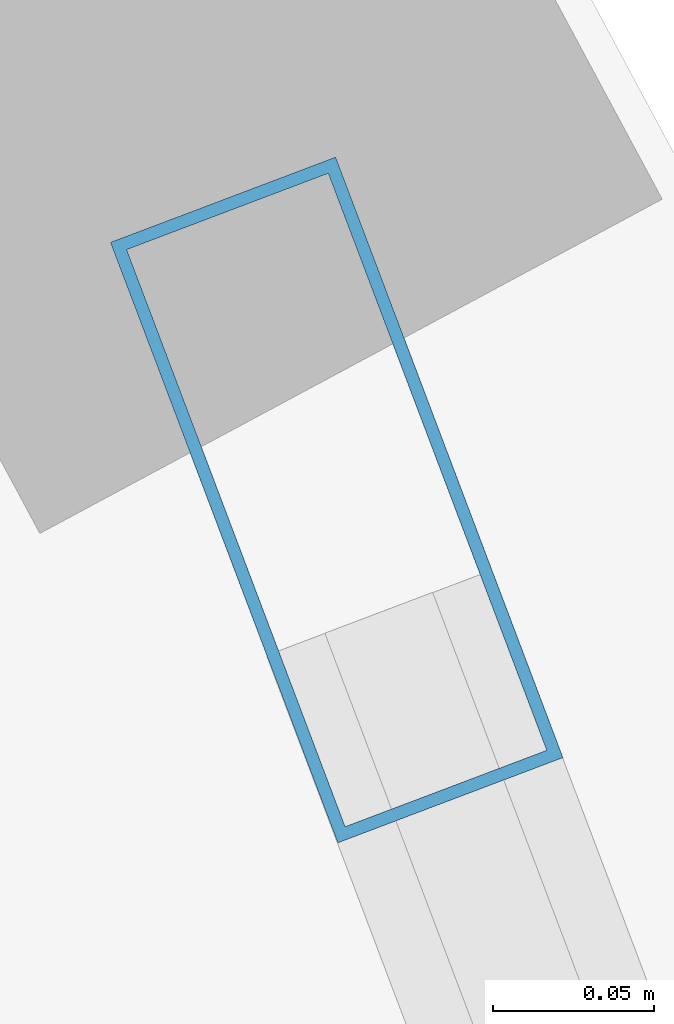
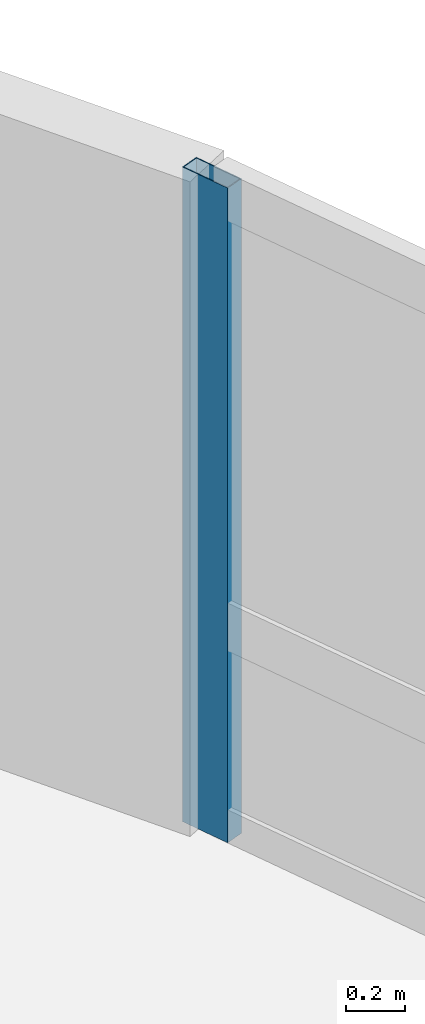
# One storey, part 10 of 20: 1 member, 1 element without a shape of its own.
"""IFC4 building model written with IfcOpenShell, lengths in metres."""

import ifcopenshell
import ifcopenshell.guid

model = None  # the IFC model being written
_history = None  # IfcOwnerHistory: only IFC2X3 demands one
_inside = {}  # id of a spatial element -> (the spatial element, [elements in it])
_under = {}  # id of a project, library or spatial element -> (it, [spatial elements below it])
_declared = {}  # id of a project -> (the project, [libraries it declares])
_typed = {}  # id of a type object -> (the type object, [elements of that type])
_made_of = {}  # id of a material, layer set ... -> (it, [elements and type objects made of it])


def new_model(schema):
    """Start an empty IFC model of exactly this schema.

    Asked for "IFC4X3", IfcOpenShell would pick the latest addendum, in which some entities
    have other attributes; the version numbers below select the first issue.
    IFC2X3 requires an IfcOwnerHistory on every rooted entity: one is made here for all.
    """
    global model, _history
    if schema == "IFC4X3":
        model = ifcopenshell.file(schema_version=(4, 3, 0, 0))
    else:
        model = ifcopenshell.file(schema=schema)
    _inside.clear()
    _under.clear()
    _declared.clear()
    _typed.clear()
    _made_of.clear()
    _history = None
    if model.schema == "IFC2X3":
        org = make("IfcOrganization", Name="unknown")
        user = make(
            "IfcPersonAndOrganization",
            ThePerson=make("IfcPerson", FamilyName="unknown"),
            TheOrganization=org,
        )
        app = make(
            "IfcApplication",
            ApplicationDeveloper=org,
            Version="unknown",
            ApplicationFullName="unknown",
            ApplicationIdentifier="unknown",
        )
        _history = make(
            "IfcOwnerHistory",
            OwningUser=user,
            OwningApplication=app,
            ChangeAction="ADDED",
            CreationDate=0,
        )
    return model


def make(cls, **values):
    """One entity of the class cls with the attributes given. An attribute that is None is left unset."""
    return model.create_entity(
        cls, **{name: value for name, value in values.items() if value is not None}
    )


def rooted(cls, **values):
    """An entity with a GlobalId (a new one), such as an element, a storey or a relation."""
    return make(cls, GlobalId=ifcopenshell.guid.new(), OwnerHistory=_history, **values)


def si_unit(unit_type, name, prefix=None):
    """IfcSIUnit, for example si_unit("LENGTHUNIT", "METRE", prefix="MILLI")."""
    return make("IfcSIUnit", UnitType=unit_type, Prefix=prefix, Name=name)


def assignment(units):
    """IfcUnitAssignment: the units of a project."""
    return None if units is None else make("IfcUnitAssignment", Units=units)


def point(xyz):
    """IfcCartesianPoint."""
    return None if xyz is None else make("IfcCartesianPoint", Coordinates=xyz)


def direction(xyz):
    """IfcDirection."""
    return None if xyz is None else make("IfcDirection", DirectionRatios=xyz)


def frame(location, z_axis=None, x_axis=None):
    """IfcAxis2Placement3D, a coordinate frame: its origin and axes. An axis left out is left unset."""
    return make(
        "IfcAxis2Placement3D",
        Location=point(location),
        Axis=direction(z_axis),
        RefDirection=direction(x_axis),
    )


def frame_2d(location, x_axis=None):
    """IfcAxis2Placement2D, a coordinate frame in the plane: its origin and x axis."""
    return make(
        "IfcAxis2Placement2D", Location=point(location), RefDirection=direction(x_axis)
    )


def origin():
    """The frame at (0, 0, 0) with its axes left unset."""
    return frame((0.0, 0.0, 0.0))


def origin_2d():
    """The frame at (0, 0) in the plane with its x axis left unset."""
    return frame_2d((0.0, 0.0))


def place(relative_to, where):
    """IfcLocalPlacement: puts the frame where relative to a parent placement (None: the world)."""
    return make(
        "IfcLocalPlacement", PlacementRelTo=relative_to, RelativePlacement=where
    )


def context(
    kind, dimensions, precision=None, world=None, true_north=None, identifier=None
):
    """IfcGeometricRepresentationContext, for example the 3D "Model" context."""
    return make(
        "IfcGeometricRepresentationContext",
        ContextIdentifier=identifier,
        ContextType=kind,
        CoordinateSpaceDimension=dimensions,
        Precision=precision,
        WorldCoordinateSystem=world,
        TrueNorth=true_north,
    )


def subcontext(parent, identifier, kind, view, scale=None):
    """IfcGeometricRepresentationSubContext, for example "Body" below "Model"."""
    return make(
        "IfcGeometricRepresentationSubContext",
        ContextIdentifier=identifier,
        ContextType=kind,
        ParentContext=parent,
        TargetScale=scale,
        TargetView=view,
    )


def project(units=None, contexts=None):
    """IfcProject with its units and contexts."""
    return rooted(
        "IfcProject",
        Name="project",
        RepresentationContexts=contexts,
        UnitsInContext=assignment(units),
    )


def spatial(cls, under=None, at=None, **own):
    """A site, building, storey or space (cls), placed at a placement, below another one or the project."""
    s = rooted(cls, ObjectPlacement=at, **own)
    if under is not None:
        _under.setdefault(under.id(), (under, []))[1].append(s)
    return s


def profile(cls, at=None, kind="AREA", **sizes):
    """A parametric profile (cls). Its sizes go by their IFC names, for example OverallWidth=200.0."""
    return make(cls, ProfileType=kind, Position=at, **sizes)


def hollow_rectangle(**sizes):
    """IfcRectangleHollowProfileDef."""
    return profile("IfcRectangleHollowProfileDef", **sizes)


def extrude(swept, where, along, depth):
    """IfcExtrudedAreaSolid: the profile swept, set in the frame where, extruded along a direction by depth."""
    return make(
        "IfcExtrudedAreaSolid",
        SweptArea=swept,
        Position=where,
        ExtrudedDirection=direction(along),
        Depth=depth,
    )


def shape(context_of_items, identifier, shape_type, items):
    """IfcShapeRepresentation: the items that make up one representation, for example the "Body"."""
    return make(
        "IfcShapeRepresentation",
        ContextOfItems=context_of_items,
        RepresentationIdentifier=identifier,
        RepresentationType=shape_type,
        Items=items,
    )


def material(Name=None, Category=None):
    """IfcMaterial."""
    return make("IfcMaterial", Name=Name, Category=Category)


def layer(
    of_material, thickness, ventilated=None, Name=None, Category=None, Priority=None
):
    """IfcMaterialLayer: one layer of a wall or slab, of a material (None: an air gap)."""
    return make(
        "IfcMaterialLayer",
        Material=of_material,
        LayerThickness=thickness,
        IsVentilated=ventilated,
        Name=Name,
        Category=Category,
        Priority=Priority,
    )


def layer_set(layers, Name=None):
    """IfcMaterialLayerSet."""
    return make("IfcMaterialLayerSet", MaterialLayers=layers, LayerSetName=Name)


def material_profile(
    of_material, cross_section, Name=None, Category=None, Priority=None
):
    """IfcMaterialProfile: a cross section and its material."""
    return make(
        "IfcMaterialProfile",
        Name=Name,
        Material=of_material,
        Profile=cross_section,
        Priority=Priority,
        Category=Category,
    )


def profile_set(profiles, Name=None, composite=None):
    """IfcMaterialProfileSet."""
    return make(
        "IfcMaterialProfileSet",
        Name=Name,
        MaterialProfiles=profiles,
        CompositeProfile=composite,
    )


def made_of(thing, what):
    """Note that an element or type object is made of a material, layer set ...; save() writes the relation."""
    if what is not None:
        _made_of.setdefault(what.id(), (what, []))[1].append(thing)
    return thing


def type_object(cls, material=None, **own):
    """A type object (cls), such as IfcWallType, which elements share."""
    return made_of(rooted(cls, **own), material)


def element(
    cls,
    number,
    at=None,
    inside=None,
    cuts=None,
    type_object=None,
    material=None,
    context=None,
    identifier="Body",
    shape_type=None,
    held_by="IfcProductDefinitionShape",
    body=None,
    shapes=None,
    **own,
):
    """One element of the class cls, such as IfcWall. Its Tag is "e" and its number.

    at: its placement. inside: the storey or other place that contains it. cuts: it is an
    opening in that element (IfcRelVoidsElement). A single representation is given by context,
    identifier, shape_type and body (its items); several are given by shapes. held_by: the class
    of the entity that holds the representations. save() writes the other relations.
    """
    e = rooted(cls, Tag="e%d" % number, ObjectPlacement=at, **own)
    if body is not None:
        shapes = [shape(context, identifier, shape_type, body)]
    if shapes is not None:
        e.Representation = make(held_by, Representations=shapes)
    if inside is not None:
        _inside.setdefault(inside.id(), (inside, []))[1].append(e)
    if cuts is not None:
        rooted(
            "IfcRelVoidsElement", RelatingBuildingElement=cuts, RelatedOpeningElement=e
        )
    if type_object is not None:
        _typed.setdefault(type_object.id(), (type_object, []))[1].append(e)
    return made_of(e, material)


def aggregate(whole, parts):
    """IfcRelAggregates: a whole, such as a stair, and the parts it consists of."""
    return rooted("IfcRelAggregates", RelatingObject=whole, RelatedObjects=parts)


def save(model, path):
    """Write the relations noted so far, then the file.

    IfcRelAggregates (storeys below a building ...), IfcRelContainedInSpatialStructure (elements
    in a storey), IfcRelDefinesByType, IfcRelAssociatesMaterial and IfcRelDeclares: one each for
    every whole, place, type object, material and project.
    """
    for whole, parts in _under.values():
        aggregate(whole, parts)
    for where, things in _inside.values():
        rooted(
            "IfcRelContainedInSpatialStructure",
            RelatedElements=things,
            RelatingStructure=where,
        )
    for kind, things in _typed.values():
        rooted("IfcRelDefinesByType", RelatedObjects=things, RelatingType=kind)
    for what, things in _made_of.values():
        rooted("IfcRelAssociatesMaterial", RelatedObjects=things, RelatingMaterial=what)
    for by, libraries in _declared.values():
        rooted("IfcRelDeclares", RelatingContext=by, RelatedDefinitions=libraries)
    model.write(path)


model = new_model("IFC4")

# Units and contexts
model_context = context("Model", 3, precision=1e-05, world=origin(), true_north=direction((0.0, 1.0)))
body_context = subcontext(model_context, "Body", "Model", "MODEL_VIEW")
ifc_project = project(units=[si_unit("LENGTHUNIT", "METRE"), si_unit("AREAUNIT", "SQUARE_METRE"), si_unit("VOLUMEUNIT", "CUBIC_METRE"), si_unit("PLANEANGLEUNIT", "RADIAN"), si_unit("MASSUNIT", "GRAM", prefix="KILO")], contexts=[model_context])

# Site, building, storey
site_placement = place(None, origin())
site = spatial("IfcSite", under=ifc_project, at=site_placement, CompositionType="ELEMENT")
building_placement = place(site_placement, origin())
building = spatial("IfcBuilding", under=site, at=building_placement, Name="Varnelok Gate Tower", CompositionType="ELEMENT")
storey_placement = place(building_placement, frame((0.0, 0.0, 238.60009765625)))
storey = spatial("IfcBuildingStorey", under=building, at=storey_placement, Name="L61", CompositionType="ELEMENT", Elevation=238.60009765625)

# Curtain wall, member
ifc_material = material(Name="Anodized Aluminum Alloy 6063-T6", Category="aluminium")
ifc_layer = layer(ifc_material, 0.179931640625)
ifc_layer_set = layer_set([ifc_layer], Name="Anodized Aluminum Alloy 6063-T6")
curtain_wall_type = type_object("IfcCurtainWallType", Name="CW4-RESIDENCE-VISION", PredefinedType="USERDEFINED", material=ifc_layer_set)
curtain_wall_placement = place(storey_placement, origin())
curtain_wall = element("IfcCurtainWall", 1, at=curtain_wall_placement, inside=storey, type_object=curtain_wall_type, Name="L61 East End Vision Curtain Wall", ObjectType="UNITISED CURTAIN WALL", PredefinedType="USERDEFINED")
ifc_material_profile = material_profile(ifc_material, hollow_rectangle(XDim=0.074951171875, YDim=0.199951171875, WallThickness=0.00390625, at=origin_2d()), Name="ALU200X75X4")
ifc_profile_set = profile_set([ifc_material_profile], Name="Anodized Aluminum Alloy 6063-T6")
member_type = type_object("IfcMemberType", Name="CW-MULL-200", PredefinedType="MULLION", material=ifc_profile_set)
member_placement = place(storey_placement, frame((64.514892578125, 51.5244140625, 0.0), z_axis=(0.0, 0.0, 1.0), x_axis=(0.935221557832, 0.354063042079, 0.0)))
member = element("IfcMember", 2, at=member_placement, type_object=member_type, Name="CW4 mullion 1", PredefinedType="MULLION", context=body_context, shape_type="SweptSolid", body=[
    extrude(hollow_rectangle(XDim=0.074951171875, YDim=0.199951171875, WallThickness=0.00390625, at=origin_2d()), origin(), (0.0, 0.0, 1.0), 2.72998046875),
])
aggregate(curtain_wall, [member])

save(model, "model.ifc")
